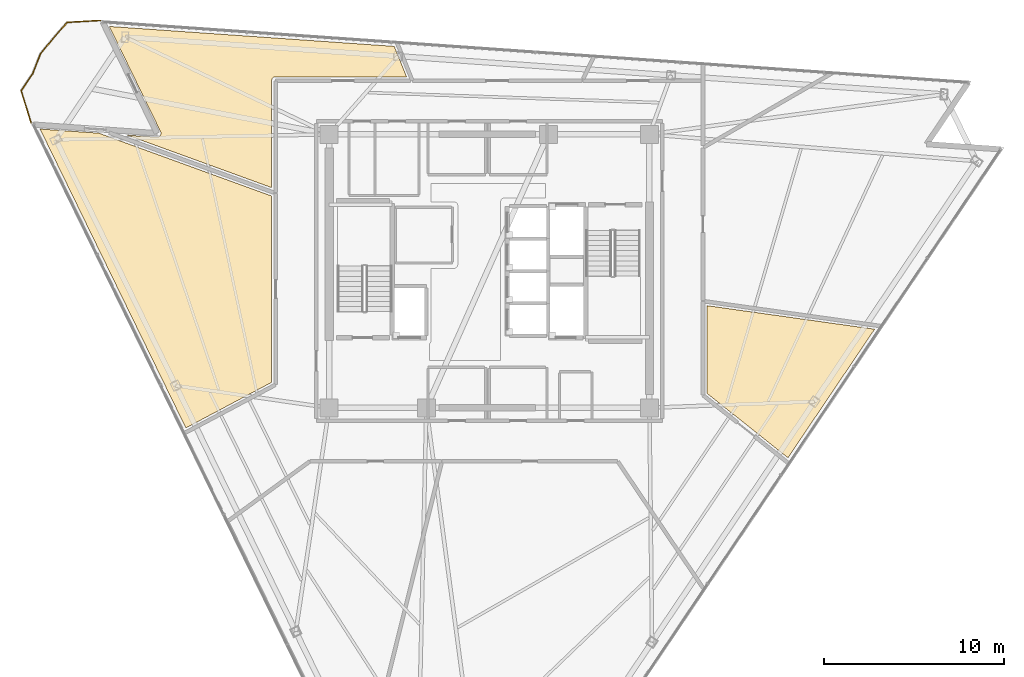
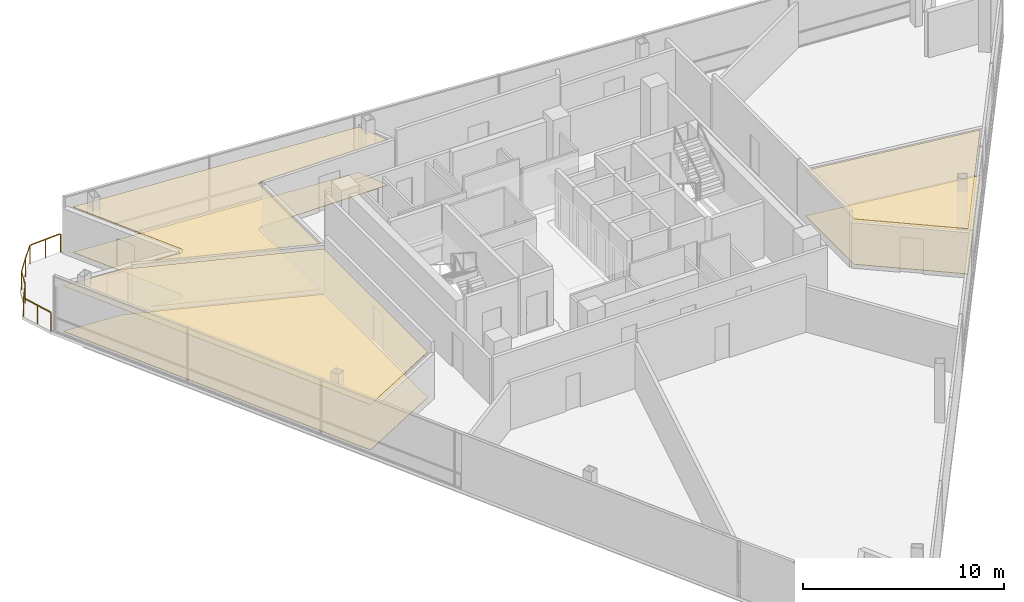
# One storey, part 12 of 13: 6 coverings, 1 railing.
"""IFC4 building model written with IfcOpenShell, lengths in metres."""

from ifc_helpers import new_model, si_unit, direction, frame, origin, origin_2d, place, context, subcontext, project, spatial, polyline, rectangle, outline, extrude, material, layer, layer_set, type_object, element, save


model = new_model("IFC4")

# Units and contexts
model_context = context("Model", 3, precision=1e-05, world=origin(), true_north=direction((0.0, 1.0)))
body_context = subcontext(model_context, "Body", "Model", "MODEL_VIEW")
ifc_project = project(units=[si_unit("LENGTHUNIT", "METRE"), si_unit("AREAUNIT", "SQUARE_METRE"), si_unit("VOLUMEUNIT", "CUBIC_METRE"), si_unit("PLANEANGLEUNIT", "RADIAN"), si_unit("MASSUNIT", "GRAM", prefix="KILO")], contexts=[model_context])

# Site, building, storey
site_placement = place(None, origin())
site = spatial("IfcSite", under=ifc_project, at=site_placement, CompositionType="ELEMENT")
building_placement = place(site_placement, origin())
building = spatial("IfcBuilding", under=site, at=building_placement, Name="Tharavind Bronze Gate", CompositionType="ELEMENT")
storey_placement = place(building_placement, frame((0.0, 0.0, 234.25)))
storey = spatial("IfcBuildingStorey", under=building, at=storey_placement, Name="L60", CompositionType="ELEMENT", Elevation=234.25)

# Coverings
ifc_material_1 = material(Name="Perforated Bronze Acoustic Panel", Category="bronze")
ifc_layer_1 = layer(ifc_material_1, 0.044921875)
ifc_layer_set_1 = layer_set([ifc_layer_1], Name="Perforated Bronze Acoustic Panel")
covering_type_1 = type_object("IfcCoveringType", Name="ACOUSTIC BRONZE BAFFLE CEILING", PredefinedType="CEILING", material=ifc_layer_set_1)
covering_1_placement = place(storey_placement, frame((0.0, 0.0, 2.75)))
element("IfcCovering", 1, at=covering_1_placement, inside=storey, type_object=covering_type_1, Name="L60-RM-03 suspended ceiling", PredefinedType="CEILING", context=body_context, shape_type="SweptSolid", body=[
    extrude(outline(polyline([(-12.10009765625, 4.63818359375), (-12.10009765625, 10.579345703125), (-12.099609375, 10.590087890625), (-12.099609375, 10.5908203125), (-12.09765625, 10.6123046875), (-12.093505859375, 10.63330078125), (-12.087158203125, 10.654052734375), (-12.078857421875, 10.674072265625), (-12.068603515625, 10.693115234375), (-12.056640625, 10.7109375), (-12.04296875, 10.727783203125), (-12.027587890625, 10.742919921875), (-12.010986328125, 10.756591796875), (-11.9931640625, 10.768798828125), (-11.97412109375, 10.77880859375), (-11.9541015625, 10.787109375), (-11.933349609375, 10.79345703125), (-11.912353515625, 10.797607421875), (-11.890869140625, 10.7998046875), (-11.89013671875, 10.7998046875), (-11.87939453125, 10.800048828125), (-4.600830078125, 10.800048828125), (-5.28369140625, 12.49072265625), (-21.125, 13.598388671875), (-18.2763671875, 7.7578125), (-18.27197265625, 7.747802734375), (-18.271728515625, 7.747314453125), (-18.263916015625, 7.726806640625), (-18.258544921875, 7.70556640625), (-18.255126953125, 7.683837890625), (-18.25390625, 7.661865234375), (-18.2548828125, 7.639892578125), (-18.258056640625, 7.618408203125), (-18.263427734375, 7.596923828125), (-18.270751953125, 7.576416015625), (-18.2802734375, 7.556640625), (-18.29150390625, 7.537841796875), (-18.3046875, 7.520263671875), (-18.319580078125, 7.504150390625), (-18.3359375, 7.489501953125), (-18.353759765625, 7.4765625), (-18.37255859375, 7.465576171875), (-18.392578125, 7.456298828125), (-18.413330078125, 7.449462890625), (-18.434814453125, 7.4443359375), (-18.456298828125, 7.44140625), (-18.478271484375, 7.44091796875), (-18.47900390625, 7.44091796875), (-18.489990234375, 7.44140625), (-20.11376953125, 7.554931640625), (-12.10009765625, 4.63818359375)])), origin(), (0.0, 0.0, 1.0), 0.034912109375),
])
covering_2_placement = place(storey_placement, frame((0.0, 0.0, 2.75)))
element("IfcCovering", 2, at=covering_2_placement, inside=storey, type_object=covering_type_1, Name="L60-RM-07 suspended ceiling", PredefinedType="CEILING", context=body_context, shape_type="SweptSolid", body=[
    extrude(outline(polyline([(12.10009765625, -6.79736328125), (16.598388671875, -10.378173828125), (21.41845703125, -3.232421875), (12.10009765625, -1.922607421875), (12.10009765625, -6.79736328125)])), origin(), (0.0, 0.0, 1.0), 0.034912109375),
])
ifc_material_2 = material(Name="Engineered Oak & Carpet Tile", Category="wood")
ifc_layer_2 = layer(ifc_material_2, 0.02490234375)
ifc_layer_set_2 = layer_set([ifc_layer_2], Name="Engineered Oak & Carpet Tile")
covering_type_2 = type_object("IfcCoveringType", Name="ENGINEERED TIMBER FLOORING", PredefinedType="FLOORING", material=ifc_layer_set_2)
covering_3_placement = place(storey_placement, origin())
element("IfcCovering", 3, at=covering_3_placement, inside=storey, type_object=covering_type_2, Name="L60-RM-03 floor finish", PredefinedType="FLOORING", context=body_context, shape_type="SweptSolid", body=[
    extrude(outline(polyline([(-12.10009765625, 4.63818359375), (-12.10009765625, 10.579345703125), (-12.099609375, 10.590087890625), (-12.099609375, 10.5908203125), (-12.09765625, 10.6123046875), (-12.093505859375, 10.63330078125), (-12.087158203125, 10.654052734375), (-12.078857421875, 10.674072265625), (-12.068603515625, 10.693115234375), (-12.056640625, 10.7109375), (-12.04296875, 10.727783203125), (-12.027587890625, 10.742919921875), (-12.010986328125, 10.756591796875), (-11.9931640625, 10.768798828125), (-11.97412109375, 10.77880859375), (-11.9541015625, 10.787109375), (-11.933349609375, 10.79345703125), (-11.912353515625, 10.797607421875), (-11.890869140625, 10.7998046875), (-11.89013671875, 10.7998046875), (-11.87939453125, 10.800048828125), (-4.600830078125, 10.800048828125), (-5.28369140625, 12.49072265625), (-21.125, 13.598388671875), (-18.2763671875, 7.7578125), (-18.27197265625, 7.747802734375), (-18.271728515625, 7.747314453125), (-18.263916015625, 7.726806640625), (-18.258544921875, 7.70556640625), (-18.255126953125, 7.683837890625), (-18.25390625, 7.661865234375), (-18.2548828125, 7.639892578125), (-18.258056640625, 7.618408203125), (-18.263427734375, 7.596923828125), (-18.270751953125, 7.576416015625), (-18.2802734375, 7.556640625), (-18.29150390625, 7.537841796875), (-18.3046875, 7.520263671875), (-18.319580078125, 7.504150390625), (-18.3359375, 7.489501953125), (-18.353759765625, 7.4765625), (-18.37255859375, 7.465576171875), (-18.392578125, 7.456298828125), (-18.413330078125, 7.449462890625), (-18.434814453125, 7.4443359375), (-18.456298828125, 7.44140625), (-18.478271484375, 7.44091796875), (-18.47900390625, 7.44091796875), (-18.489990234375, 7.44140625), (-20.11376953125, 7.554931640625), (-12.10009765625, 4.63818359375)])), origin(), (0.0, 0.0, 1.0), 0.02490234375),
])
covering_4_placement = place(storey_placement, origin())
element("IfcCovering", 4, at=covering_4_placement, inside=storey, type_object=covering_type_2, Name="L60-RM-04 floor finish", PredefinedType="FLOORING", context=body_context, shape_type="SweptSolid", body=[
    extrude(outline(polyline([(-16.868896484375, -8.72021484375), (-12.10009765625, -6.1845703125), (-12.10009765625, 4.169921875), (-21.706298828125, 7.666259765625), (-24.972412109375, 7.894775390625), (-16.868896484375, -8.72021484375)])), origin(), (0.0, 0.0, 1.0), 0.02490234375),
])
ifc_material_3 = material(Name="Acoustic Gypsum Board", Category="gypsum")
ifc_layer_3 = layer(ifc_material_3, 0.030029296875)
ifc_layer_set_3 = layer_set([ifc_layer_3], Name="Acoustic Gypsum Board")
covering_type_3 = type_object("IfcCoveringType", Name="GYPSUM SUSPENDED CEILING", PredefinedType="CEILING", material=ifc_layer_set_3)
covering_5_placement = place(storey_placement, frame((0.0, 0.0, 2.75)))
element("IfcCovering", 5, at=covering_5_placement, inside=storey, type_object=covering_type_3, Name="L60-RM-04 suspended ceiling", PredefinedType="CEILING", context=body_context, shape_type="SweptSolid", body=[
    extrude(outline(polyline([(-16.868896484375, -8.72021484375), (-12.10009765625, -6.1845703125), (-12.10009765625, 4.169921875), (-21.706298828125, 7.666259765625), (-24.972412109375, 7.894775390625), (-16.868896484375, -8.72021484375)])), origin(), (0.0, 0.0, 1.0), 0.034912109375),
])
ifc_material_4 = material(Name="Honed Travertine Limestone", Category="masonry")
ifc_layer_4 = layer(ifc_material_4, 0.030029296875)
ifc_layer_set_4 = layer_set([ifc_layer_4], Name="Honed Travertine Limestone")
covering_type_4 = type_object("IfcCoveringType", Name="HONED LIMESTONE FLOORING", PredefinedType="FLOORING", material=ifc_layer_set_4)
covering_6_placement = place(storey_placement, origin())
element("IfcCovering", 6, at=covering_6_placement, inside=storey, type_object=covering_type_4, Name="L60-RM-07 floor finish", PredefinedType="FLOORING", context=body_context, shape_type="SweptSolid", body=[
    extrude(outline(polyline([(12.10009765625, -6.79736328125), (16.598388671875, -10.378173828125), (21.41845703125, -3.232421875), (12.10009765625, -1.922607421875), (12.10009765625, -6.79736328125)])), origin(), (0.0, 0.0, 1.0), 0.02490234375),
])

# Railing
ifc_material_5 = material(Name="Bronze Cap & Laminated Glass", Category="glass")
railing_type = type_object("IfcRailingType", Name="TERRACE GLASS GUARD RAILING 1150", PredefinedType="GUARDRAIL", material=ifc_material_5)
railing_placement = place(storey_placement, frame((-25.4697265625, 8.230224609375, 0.0)))
element("IfcRailing", 7, at=railing_placement, inside=storey, type_object=railing_type, Name="L60 tree balcony guard railing", PredefinedType="GUARDRAIL", context=body_context, shape_type="SweptSolid", body=[
    extrude(rectangle(XDim=0.048095703125, YDim=0.048095703125, at=origin_2d()), frame((-0.009521484375, 0.030517578125, 1.1259765625), z_axis=(-0.294314517562, 0.955708619168, 0.0), x_axis=(-0.955708619168, -0.294314517562, 0.0)), (0.0, 0.0, 1.0), 1.8115234375),
    extrude(rectangle(XDim=0.048095703125, YDim=0.048095703125, at=origin_2d()), frame((-0.5341796875, 1.819091796875, 1.1259765625), z_axis=(0.559213151727, 0.829023914574, 0.0), x_axis=(-0.829023914574, 0.559213151727, 0.0)), (0.0, 0.0, 1.0), 1.08251953125),
    extrude(rectangle(XDim=0.048095703125, YDim=0.048095703125, at=origin_2d()), frame((0.1005859375, 2.772705078125, 1.1259765625), z_axis=(0.361885115159, 0.932222700553, 0.0), x_axis=(-0.932222700553, 0.361885115159, 0.0)), (0.0, 0.0, 1.0), 1.11181640625),
    extrude(rectangle(XDim=0.048095703125, YDim=0.048095703125, at=origin_2d()), frame((0.53515625, 3.86376953125, 1.1259765625), z_axis=(0.637324854119, 0.77059524416, 0.0), x_axis=(-0.77059524416, 0.637324854119, 0.0)), (0.0, 0.0, 1.0), 1.08837890625),
    extrude(rectangle(XDim=0.048095703125, YDim=0.048095703125, at=origin_2d()), frame((1.270263671875, 4.7509765625, 1.1259765625), z_axis=(0.660580286946, 0.750755409237, 0.0), x_axis=(-0.750755409237, 0.660580286946, 0.0)), (0.0, 0.0, 1.0), 1.092041015625),
    extrude(rectangle(XDim=0.048095703125, YDim=0.048095703125, at=origin_2d()), frame((2.044677734375, 5.596923828125, 1.1259765625), z_axis=(0.998250930511, 0.059119199371, 0.0), x_axis=(-0.059119199371, 0.998250930511, 0.0)), (0.0, 0.0, 1.0), 1.773681640625),
    extrude(rectangle(XDim=0.0400390625, YDim=0.0400390625, at=origin_2d()), origin(), (0.0, 0.0, 1.0), 1.097900390625),
    extrude(rectangle(XDim=0.0400390625, YDim=0.0400390625, at=origin_2d()), frame((-0.27587890625, 0.896240234375, 0.0)), (0.0, 0.0, 1.0), 1.097900390625),
    extrude(rectangle(XDim=0.0400390625, YDim=0.0400390625, at=origin_2d()), frame((-0.552001953125, 1.79248046875, 0.0)), (0.0, 0.0, 1.0), 1.097900390625),
    extrude(rectangle(XDim=0.0400390625, YDim=0.0400390625, at=origin_2d()), frame((0.089111328125, 2.742919921875, 0.0)), (0.0, 0.0, 1.0), 1.097900390625),
    extrude(rectangle(XDim=0.0400390625, YDim=0.0400390625, at=origin_2d()), frame((0.5146484375, 3.839111328125, 0.0)), (0.0, 0.0, 1.0), 1.097900390625),
    extrude(rectangle(XDim=0.0400390625, YDim=0.0400390625, at=origin_2d()), frame((1.2490234375, 4.72705078125, 0.0)), (0.0, 0.0, 1.0), 1.097900390625),
    extrude(rectangle(XDim=0.0400390625, YDim=0.0400390625, at=origin_2d()), frame((2.0126953125, 5.594970703125, 0.0)), (0.0, 0.0, 1.0), 1.097900390625),
    extrude(rectangle(XDim=0.0400390625, YDim=0.0400390625, at=origin_2d()), frame((2.929931640625, 5.6494140625, 0.0)), (0.0, 0.0, 1.0), 1.097900390625),
    extrude(rectangle(XDim=0.0400390625, YDim=0.0400390625, at=origin_2d()), frame((3.84716796875, 5.70361328125, 0.0)), (0.0, 0.0, 1.0), 1.097900390625),
])

save(model, "model.ifc")
